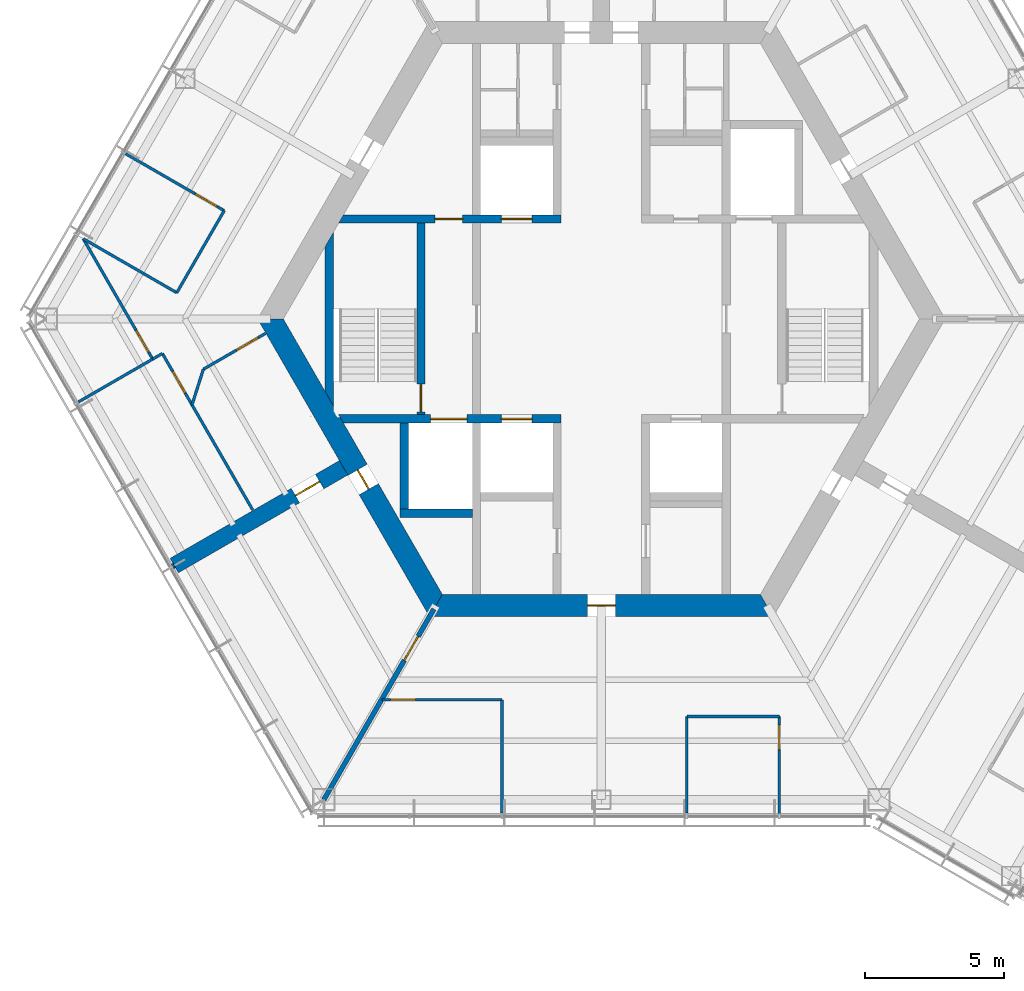
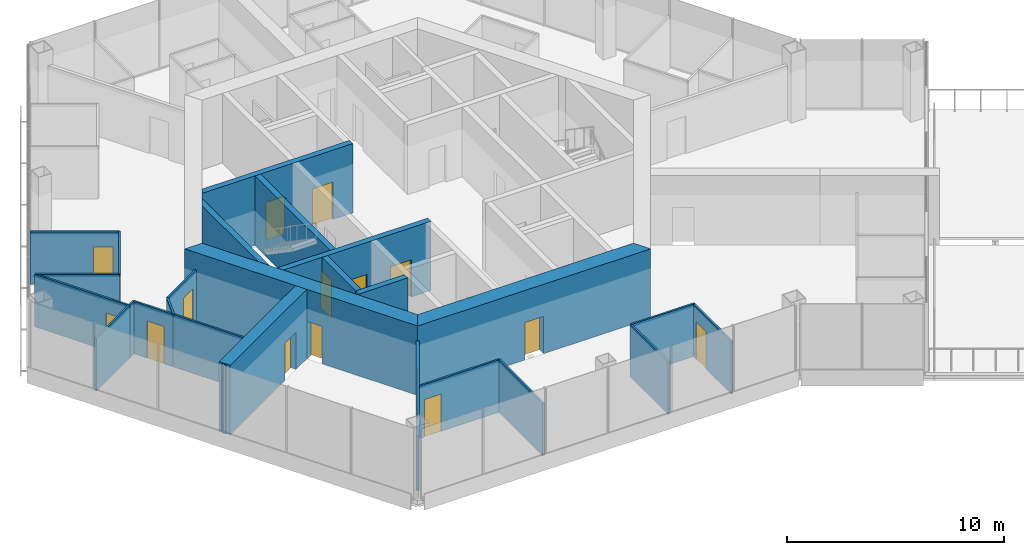
# One storey, part 7 of 13: 26 walls, 15 doors, 15 openings.
"""IFC4 building model written with IfcOpenShell, lengths in metres."""

import ifcopenshell
import ifcopenshell.guid

model = None  # the IFC model being written
_history = None  # IfcOwnerHistory: only IFC2X3 demands one
_inside = {}  # id of a spatial element -> (the spatial element, [elements in it])
_under = {}  # id of a project, library or spatial element -> (it, [spatial elements below it])
_declared = {}  # id of a project -> (the project, [libraries it declares])
_typed = {}  # id of a type object -> (the type object, [elements of that type])
_made_of = {}  # id of a material, layer set ... -> (it, [elements and type objects made of it])


def new_model(schema):
    """Start an empty IFC model of exactly this schema.

    Asked for "IFC4X3", IfcOpenShell would pick the latest addendum, in which some entities
    have other attributes; the version numbers below select the first issue.
    IFC2X3 requires an IfcOwnerHistory on every rooted entity: one is made here for all.
    """
    global model, _history
    if schema == "IFC4X3":
        model = ifcopenshell.file(schema_version=(4, 3, 0, 0))
    else:
        model = ifcopenshell.file(schema=schema)
    _inside.clear()
    _under.clear()
    _declared.clear()
    _typed.clear()
    _made_of.clear()
    _history = None
    if model.schema == "IFC2X3":
        org = make("IfcOrganization", Name="unknown")
        user = make(
            "IfcPersonAndOrganization",
            ThePerson=make("IfcPerson", FamilyName="unknown"),
            TheOrganization=org,
        )
        app = make(
            "IfcApplication",
            ApplicationDeveloper=org,
            Version="unknown",
            ApplicationFullName="unknown",
            ApplicationIdentifier="unknown",
        )
        _history = make(
            "IfcOwnerHistory",
            OwningUser=user,
            OwningApplication=app,
            ChangeAction="ADDED",
            CreationDate=0,
        )
    return model


def make(cls, **values):
    """One entity of the class cls with the attributes given. An attribute that is None is left unset."""
    return model.create_entity(
        cls, **{name: value for name, value in values.items() if value is not None}
    )


def rooted(cls, **values):
    """An entity with a GlobalId (a new one), such as an element, a storey or a relation."""
    return make(cls, GlobalId=ifcopenshell.guid.new(), OwnerHistory=_history, **values)


def si_unit(unit_type, name, prefix=None):
    """IfcSIUnit, for example si_unit("LENGTHUNIT", "METRE", prefix="MILLI")."""
    return make("IfcSIUnit", UnitType=unit_type, Prefix=prefix, Name=name)


def assignment(units):
    """IfcUnitAssignment: the units of a project."""
    return None if units is None else make("IfcUnitAssignment", Units=units)


def point(xyz):
    """IfcCartesianPoint."""
    return None if xyz is None else make("IfcCartesianPoint", Coordinates=xyz)


def direction(xyz):
    """IfcDirection."""
    return None if xyz is None else make("IfcDirection", DirectionRatios=xyz)


def frame(location, z_axis=None, x_axis=None):
    """IfcAxis2Placement3D, a coordinate frame: its origin and axes. An axis left out is left unset."""
    return make(
        "IfcAxis2Placement3D",
        Location=point(location),
        Axis=direction(z_axis),
        RefDirection=direction(x_axis),
    )


def frame_2d(location, x_axis=None):
    """IfcAxis2Placement2D, a coordinate frame in the plane: its origin and x axis."""
    return make(
        "IfcAxis2Placement2D", Location=point(location), RefDirection=direction(x_axis)
    )


def origin():
    """The frame at (0, 0, 0) with its axes left unset."""
    return frame((0.0, 0.0, 0.0))


def place(relative_to, where):
    """IfcLocalPlacement: puts the frame where relative to a parent placement (None: the world)."""
    return make(
        "IfcLocalPlacement", PlacementRelTo=relative_to, RelativePlacement=where
    )


def context(
    kind, dimensions, precision=None, world=None, true_north=None, identifier=None
):
    """IfcGeometricRepresentationContext, for example the 3D "Model" context."""
    return make(
        "IfcGeometricRepresentationContext",
        ContextIdentifier=identifier,
        ContextType=kind,
        CoordinateSpaceDimension=dimensions,
        Precision=precision,
        WorldCoordinateSystem=world,
        TrueNorth=true_north,
    )


def subcontext(parent, identifier, kind, view, scale=None):
    """IfcGeometricRepresentationSubContext, for example "Body" below "Model"."""
    return make(
        "IfcGeometricRepresentationSubContext",
        ContextIdentifier=identifier,
        ContextType=kind,
        ParentContext=parent,
        TargetScale=scale,
        TargetView=view,
    )


def project(units=None, contexts=None):
    """IfcProject with its units and contexts."""
    return rooted(
        "IfcProject",
        Name="project",
        RepresentationContexts=contexts,
        UnitsInContext=assignment(units),
    )


def spatial(cls, under=None, at=None, **own):
    """A site, building, storey or space (cls), placed at a placement, below another one or the project."""
    s = rooted(cls, ObjectPlacement=at, **own)
    if under is not None:
        _under.setdefault(under.id(), (under, []))[1].append(s)
    return s


def polyline(points):
    """IfcPolyline through the points."""
    return make("IfcPolyline", Points=[point(p) for p in points])


def profile(cls, at=None, kind="AREA", **sizes):
    """A parametric profile (cls). Its sizes go by their IFC names, for example OverallWidth=200.0."""
    return make(cls, ProfileType=kind, Position=at, **sizes)


def rectangle(**sizes):
    """IfcRectangleProfileDef."""
    return profile("IfcRectangleProfileDef", **sizes)


def outline(outer, holes=None, kind="AREA"):
    """IfcArbitraryClosedProfileDef: a profile drawn as a closed curve; with holes, ...WithVoids."""
    if holes is None:
        return make("IfcArbitraryClosedProfileDef", ProfileType=kind, OuterCurve=outer)
    return make(
        "IfcArbitraryProfileDefWithVoids",
        ProfileType=kind,
        OuterCurve=outer,
        InnerCurves=holes,
    )


def extrude(swept, where, along, depth):
    """IfcExtrudedAreaSolid: the profile swept, set in the frame where, extruded along a direction by depth."""
    return make(
        "IfcExtrudedAreaSolid",
        SweptArea=swept,
        Position=where,
        ExtrudedDirection=direction(along),
        Depth=depth,
    )


def shape(context_of_items, identifier, shape_type, items):
    """IfcShapeRepresentation: the items that make up one representation, for example the "Body"."""
    return make(
        "IfcShapeRepresentation",
        ContextOfItems=context_of_items,
        RepresentationIdentifier=identifier,
        RepresentationType=shape_type,
        Items=items,
    )


def material(Name=None, Category=None):
    """IfcMaterial."""
    return make("IfcMaterial", Name=Name, Category=Category)


def layer(
    of_material, thickness, ventilated=None, Name=None, Category=None, Priority=None
):
    """IfcMaterialLayer: one layer of a wall or slab, of a material (None: an air gap)."""
    return make(
        "IfcMaterialLayer",
        Material=of_material,
        LayerThickness=thickness,
        IsVentilated=ventilated,
        Name=Name,
        Category=Category,
        Priority=Priority,
    )


def layer_set(layers, Name=None):
    """IfcMaterialLayerSet."""
    return make("IfcMaterialLayerSet", MaterialLayers=layers, LayerSetName=Name)


def made_of(thing, what):
    """Note that an element or type object is made of a material, layer set ...; save() writes the relation."""
    if what is not None:
        _made_of.setdefault(what.id(), (what, []))[1].append(thing)
    return thing


def type_object(cls, material=None, **own):
    """A type object (cls), such as IfcWallType, which elements share."""
    return made_of(rooted(cls, **own), material)


def element(
    cls,
    number,
    at=None,
    inside=None,
    cuts=None,
    type_object=None,
    material=None,
    context=None,
    identifier="Body",
    shape_type=None,
    held_by="IfcProductDefinitionShape",
    body=None,
    shapes=None,
    **own,
):
    """One element of the class cls, such as IfcWall. Its Tag is "e" and its number.

    at: its placement. inside: the storey or other place that contains it. cuts: it is an
    opening in that element (IfcRelVoidsElement). A single representation is given by context,
    identifier, shape_type and body (its items); several are given by shapes. held_by: the class
    of the entity that holds the representations. save() writes the other relations.
    """
    e = rooted(cls, Tag="e%d" % number, ObjectPlacement=at, **own)
    if body is not None:
        shapes = [shape(context, identifier, shape_type, body)]
    if shapes is not None:
        e.Representation = make(held_by, Representations=shapes)
    if inside is not None:
        _inside.setdefault(inside.id(), (inside, []))[1].append(e)
    if cuts is not None:
        rooted(
            "IfcRelVoidsElement", RelatingBuildingElement=cuts, RelatedOpeningElement=e
        )
    if type_object is not None:
        _typed.setdefault(type_object.id(), (type_object, []))[1].append(e)
    return made_of(e, material)


def fill(opening, filler):
    """IfcRelFillsElement: the door or window that sits in an opening."""
    return rooted(
        "IfcRelFillsElement",
        RelatingOpeningElement=opening,
        RelatedBuildingElement=filler,
    )


def aggregate(whole, parts):
    """IfcRelAggregates: a whole, such as a stair, and the parts it consists of."""
    return rooted("IfcRelAggregates", RelatingObject=whole, RelatedObjects=parts)


def save(model, path):
    """Write the relations noted so far, then the file.

    IfcRelAggregates (storeys below a building ...), IfcRelContainedInSpatialStructure (elements
    in a storey), IfcRelDefinesByType, IfcRelAssociatesMaterial and IfcRelDeclares: one each for
    every whole, place, type object, material and project.
    """
    for whole, parts in _under.values():
        aggregate(whole, parts)
    for where, things in _inside.values():
        rooted(
            "IfcRelContainedInSpatialStructure",
            RelatedElements=things,
            RelatingStructure=where,
        )
    for kind, things in _typed.values():
        rooted("IfcRelDefinesByType", RelatedObjects=things, RelatingType=kind)
    for what, things in _made_of.values():
        rooted("IfcRelAssociatesMaterial", RelatedObjects=things, RelatingMaterial=what)
    for by, libraries in _declared.values():
        rooted("IfcRelDeclares", RelatingContext=by, RelatedDefinitions=libraries)
    model.write(path)


model = new_model("IFC4")

# Units and contexts
model_context = context("Model", 3, precision=1e-05, world=origin(), true_north=direction((0.0, 1.0)))
body_context = subcontext(model_context, "Body", "Model", "MODEL_VIEW")
ifc_project = project(units=[si_unit("LENGTHUNIT", "METRE"), si_unit("AREAUNIT", "SQUARE_METRE"), si_unit("VOLUMEUNIT", "CUBIC_METRE"), si_unit("PLANEANGLEUNIT", "RADIAN"), si_unit("MASSUNIT", "GRAM", prefix="KILO")], contexts=[model_context])

# Site, building, storey
site_placement = place(None, origin())
site = spatial("IfcSite", under=ifc_project, at=site_placement, CompositionType="ELEMENT")
building_placement = place(site_placement, origin())
building = spatial("IfcBuilding", under=site, at=building_placement, Name="Kasaneha Research Tower", CompositionType="ELEMENT")
storey_placement = place(building_placement, frame((0.0, 0.0, 267.39990234375)))
storey = spatial("IfcBuildingStorey", under=building, at=storey_placement, Name="L67", CompositionType="ELEMENT", Elevation=267.39990234375)

# Wall, openings, doors
ifc_material_1 = material(Name="Concrete Fc60", Category="concrete")
ifc_layer_1 = layer(ifc_material_1, 0.300048828125)
ifc_layer_set_1 = layer_set([ifc_layer_1], Name="Core internal wall 300 Fc60")
wall_type_1 = type_object("IfcWallType", Name="Core internal wall 300 Fc60", PredefinedType="SHEAR", material=ifc_layer_set_1)
wall_1_placement = place(storey_placement, frame((-9.3818359375, 3.60009765625, 0.0), z_axis=(0.0, 0.0, 1.0), x_axis=(1.0, 0.0, 0.0)))
wall_1 = element("IfcWall", 1, at=wall_1_placement, inside=storey, type_object=wall_type_1, Name="Core wall W1W L67", PredefinedType="SHEAR", context=body_context, shape_type="SweptSolid", body=[
    extrude(outline(polyline([(-0.086669921875, -0.14990234375), (3.3818359375, -0.14990234375), (4.3818359375, -0.14990234375), (5.781982421875, -0.14990234375), (6.882080078125, -0.14990234375), (7.931884765625, -0.14990234375), (7.931884765625, 0.14990234375), (6.882080078125, 0.14990234375), (5.781982421875, 0.14990234375), (4.3818359375, 0.14990234375), (3.3818359375, 0.14990234375), (0.086669921875, 0.14990234375), (-0.086669921875, -0.14990234375)])), origin(), (0.0, 0.0, 1.0), 3.900146484375),
])
opening_1_placement = place(wall_1_placement, frame((3.3818359375, 0.0, 0.0)))
opening_1 = element("IfcOpeningElement", 2, at=opening_1_placement, cuts=wall_1, Name="Opening L67-D12", PredefinedType="OPENING", context=body_context, shape_type="SweptSolid", body=[
    extrude(rectangle(XDim=1.0, YDim=2.10009765625, at=frame_2d((0.5, 1.050048828125))), frame((0.0, 0.16015625, 0.0), z_axis=(0.0, -1.0, 0.0), x_axis=(1.0, 0.0, 0.0)), (0.0, 0.0, 1.0), 0.320068359375),
])
opening_2_placement = place(wall_1_placement, frame((5.781982421875, 0.0, 0.0)))
opening_2 = element("IfcOpeningElement", 3, at=opening_2_placement, cuts=wall_1, Name="Opening LD-LH2-L67", PredefinedType="OPENING", context=body_context, shape_type="SweptSolid", body=[
    extrude(rectangle(XDim=1.10009765625, YDim=2.10009765625, at=frame_2d((0.550048828125, 1.050048828125))), frame((0.0, 0.16015625, 0.0), z_axis=(0.0, -1.0, 0.0), x_axis=(1.0, 0.0, 0.0)), (0.0, 0.0, 1.0), 0.320068359375),
])
ifc_material_2 = material(Name="Steel", Category="steel")
door_type_1 = type_object("IfcDoorType", Name="Lift landing door 1100x2100", OperationType="DOUBLE_DOOR_SLIDING", PredefinedType="DOOR", material=ifc_material_2)
door_1_placement = place(opening_2_placement, origin())
door_1 = element("IfcDoor", 4, at=door_1_placement, inside=storey, type_object=door_type_1, Name="Landing door LH2 LD-LH2-L67", OperationType="DOUBLE_DOOR_SLIDING", OverallHeight=2.10009765625, OverallWidth=1.10009765625, PredefinedType="DOOR", context=body_context, shape_type="SweptSolid", body=[
    extrude(rectangle(XDim=1.10009765625, YDim=2.10009765625, at=frame_2d((0.550048828125, 1.050048828125))), frame((0.0, 0.02490234375, 0.0), z_axis=(0.0, -1.0, 0.0), x_axis=(1.0, 0.0, 0.0)), (0.0, 0.0, 1.0), 0.050048828125),
])
fill(opening_2, door_1)
ifc_material_3 = material(Name="Steel", Category="steel")
door_type_2 = type_object("IfcDoorType", Name="Specified fire door FD60 1000x2100", OperationType="NOTDEFINED", PredefinedType="DOOR", material=ifc_material_3)
door_2_placement = place(opening_1_placement, origin())
door_2 = element("IfcDoor", 5, at=door_2_placement, inside=storey, type_object=door_type_2, Name="Vestibule to lobby door L67-D12", OperationType="SINGLE_SWING_LEFT", OverallHeight=2.10009765625, OverallWidth=1.0, PredefinedType="DOOR", context=body_context, shape_type="SweptSolid", body=[
    extrude(rectangle(XDim=1.0, YDim=2.10009765625, at=frame_2d((0.5, 1.050048828125))), frame((0.0, 0.02490234375, 0.0), z_axis=(0.0, -1.0, 0.0), x_axis=(1.0, 0.0, 0.0)), (0.0, 0.0, 1.0), 0.050048828125),
])
fill(opening_1, door_2)

wall_2_placement = place(storey_placement, frame((-9.3818359375, -3.60009765625, 0.0), z_axis=(0.0, 0.0, 1.0), x_axis=(1.0, 0.0, 0.0)))
wall_2 = element("IfcWall", 6, at=wall_2_placement, inside=storey, type_object=wall_type_1, Name="Core wall W2W L67", PredefinedType="SHEAR", context=body_context, shape_type="SweptSolid", body=[
    extrude(outline(polyline([(0.086669921875, -0.14990234375), (3.23193359375, -0.14990234375), (4.531982421875, -0.14990234375), (5.781982421875, -0.14990234375), (6.882080078125, -0.14990234375), (7.931884765625, -0.14990234375), (7.931884765625, 0.14990234375), (6.882080078125, 0.14990234375), (5.781982421875, 0.14990234375), (4.531982421875, 0.14990234375), (3.23193359375, 0.14990234375), (-0.086669921875, 0.14990234375), (0.086669921875, -0.14990234375)])), origin(), (0.0, 0.0, 1.0), 3.900146484375),
])
opening_3_placement = place(wall_2_placement, frame((5.781982421875, 0.0, 0.0)))
opening_3 = element("IfcOpeningElement", 7, at=opening_3_placement, cuts=wall_2, Name="Opening LD-LH1-L67", PredefinedType="OPENING", context=body_context, shape_type="SweptSolid", body=[
    extrude(rectangle(XDim=1.10009765625, YDim=2.10009765625, at=frame_2d((0.550048828125, 1.050048828125))), frame((0.0, 0.16015625, 0.0), z_axis=(0.0, -1.0, 0.0), x_axis=(1.0, 0.0, 0.0)), (0.0, 0.0, 1.0), 0.320068359375),
])
opening_4_placement = place(wall_2_placement, frame((3.23193359375, 0.0, 0.0)))
opening_4 = element("IfcOpeningElement", 8, at=opening_4_placement, cuts=wall_2, Name="Opening LD-FL2-L67", PredefinedType="OPENING", context=body_context, shape_type="SweptSolid", body=[
    extrude(rectangle(XDim=1.300048828125, YDim=2.10009765625, at=frame_2d((0.64990234375, 1.050048828125))), frame((0.0, 0.16015625, 0.0), z_axis=(0.0, -1.0, 0.0), x_axis=(1.0, 0.0, 0.0)), (0.0, 0.0, 1.0), 0.320068359375),
])
door_3_placement = place(opening_3_placement, origin())
door_3 = element("IfcDoor", 9, at=door_3_placement, inside=storey, type_object=door_type_1, Name="Landing door LH1 LD-LH1-L67", OperationType="DOUBLE_DOOR_SLIDING", OverallHeight=2.10009765625, OverallWidth=1.10009765625, PredefinedType="DOOR", context=body_context, shape_type="SweptSolid", body=[
    extrude(rectangle(XDim=1.10009765625, YDim=2.10009765625, at=frame_2d((0.550048828125, 1.050048828125))), frame((0.0, 0.02490234375, 0.0), z_axis=(0.0, -1.0, 0.0), x_axis=(1.0, 0.0, 0.0)), (0.0, 0.0, 1.0), 0.050048828125),
])
fill(opening_3, door_3)
ifc_material_4 = material(Name="Steel", Category="steel")
door_type_3 = type_object("IfcDoorType", Name="Lift landing door 1300x2100", OperationType="DOUBLE_DOOR_SLIDING", PredefinedType="DOOR", material=ifc_material_4)
door_4_placement = place(opening_4_placement, origin())
door_4 = element("IfcDoor", 10, at=door_4_placement, inside=storey, type_object=door_type_3, Name="Landing door FL2 LD-FL2-L67", OperationType="DOUBLE_DOOR_SLIDING", OverallHeight=2.10009765625, OverallWidth=1.300048828125, PredefinedType="DOOR", context=body_context, shape_type="SweptSolid", body=[
    extrude(rectangle(XDim=1.300048828125, YDim=2.10009765625, at=frame_2d((0.64990234375, 1.050048828125))), frame((0.0, 0.02490234375, 0.0), z_axis=(0.0, -1.0, 0.0), x_axis=(1.0, 0.0, 0.0)), (0.0, 0.0, 1.0), 0.050048828125),
])
fill(opening_4, door_4)

# Wall, opening, door
wall_3_placement = place(storey_placement, frame((-6.5, -3.449951171875, 0.0), z_axis=(0.0, 0.0, 1.0), x_axis=(0.0, 1.0, 0.0)))
wall_3 = element("IfcWall", 11, at=wall_3_placement, inside=storey, type_object=wall_type_1, Name="Core wall ANW L67", PredefinedType="SHEAR", context=body_context, shape_type="SweptSolid", body=[
    extrude(rectangle(XDim=6.89990234375, YDim=0.300048828125, at=frame_2d((3.449951171875, 0.0))), origin(), (0.0, 0.0, 1.0), 3.900146484375),
])
opening_5_placement = place(wall_3_placement, frame((0.10009765625, 0.0, 0.0)))
opening_5 = element("IfcOpeningElement", 12, at=opening_5_placement, cuts=wall_3, Name="Opening L67-D11", PredefinedType="OPENING", context=body_context, shape_type="SweptSolid", body=[
    extrude(rectangle(XDim=1.0, YDim=2.10009765625, at=frame_2d((0.5, 1.050048828125))), frame((0.0, 0.16015625, 0.0), z_axis=(0.0, -1.0, 0.0), x_axis=(1.0, 0.0, 0.0)), (0.0, 0.0, 1.0), 0.320068359375),
])
door_5_placement = place(opening_5_placement, origin())
door_5 = element("IfcDoor", 13, at=door_5_placement, inside=storey, type_object=door_type_2, Name="Stair 2 door L67-D11", OperationType="SINGLE_SWING_LEFT", OverallHeight=2.10009765625, OverallWidth=1.0, PredefinedType="DOOR", context=body_context, shape_type="SweptSolid", body=[
    extrude(rectangle(XDim=1.0, YDim=2.10009765625, at=frame_2d((0.5, 1.050048828125))), frame((0.0, 0.02490234375, 0.0), z_axis=(0.0, -1.0, 0.0), x_axis=(1.0, 0.0, 0.0)), (0.0, 0.0, 1.0), 0.050048828125),
])
fill(opening_5, door_5)

# Walls
wall_4_placement = place(storey_placement, frame((-7.25, -7.0, 0.0), z_axis=(0.0, 0.0, 1.0), x_axis=(1.0, 0.0, 0.0)))
element("IfcWall", 14, at=wall_4_placement, inside=storey, type_object=wall_type_1, Name="Core wall F2S L67", PredefinedType="SHEAR", context=body_context, shape_type="SweptSolid", body=[
    extrude(rectangle(XDim=2.60009765625, YDim=0.300048828125, at=frame_2d((1.300048828125, 0.0))), origin(), (0.0, 0.0, 1.0), 3.900146484375),
])
wall_5_placement = place(storey_placement, frame((-7.10009765625, -3.75, 0.0), z_axis=(0.0, 0.0, 1.0), x_axis=(0.0, -1.0, 0.0)))
element("IfcWall", 15, at=wall_5_placement, inside=storey, type_object=wall_type_1, Name="Core wall F2W L67", PredefinedType="SHEAR", context=body_context, shape_type="SweptSolid", body=[
    extrude(rectangle(XDim=3.10009765625, YDim=0.300048828125, at=frame_2d((1.550048828125, 0.0))), origin(), (0.0, 0.0, 1.0), 3.900146484375),
])
wall_6_placement = place(storey_placement, frame((-9.807861328125, -2.8623046875, 0.0), z_axis=(0.0, 0.0, 1.0), x_axis=(0.0, 1.0, 0.0)))
element("IfcWall", 16, at=wall_6_placement, inside=storey, type_object=wall_type_1, Name="Core wall STW L67", PredefinedType="SHEAR", context=body_context, shape_type="SweptSolid", body=[
    extrude(outline(polyline([(-0.259765625, -0.14990234375), (5.984375, -0.14990234375), (5.46484375, 0.14990234375), (0.259765625, 0.14990234375), (-0.259765625, -0.14990234375)])), origin(), (0.0, 0.0, 1.0), 3.900146484375),
])

# Wall, opening, door
ifc_material_5 = material(Name="Concrete Fc60", Category="concrete")
ifc_layer_2 = layer(ifc_material_5, 0.800048828125)
ifc_layer_set_2 = layer_set([ifc_layer_2], Name="Core wall 800 Fc60")
wall_type_2 = type_object("IfcWallType", Name="Core wall 800 Fc60", PredefinedType="SHEAR", material=ifc_layer_set_2)
wall_7_placement = place(storey_placement, frame((-11.92236328125, 0.0, 0.0), z_axis=(0.0, 0.0, 1.0), x_axis=(0.500004296715, -0.866022923061, 0.0)))
wall_7 = element("IfcWall", 17, at=wall_7_placement, inside=storey, type_object=wall_type_2, Name="Core wall 210 L67", PredefinedType="SHEAR", context=body_context, shape_type="SweptSolid", body=[
    extrude(outline(polyline([(-0.23095703125, -0.39990234375), (6.28125, -0.39990234375), (7.081298828125, -0.39990234375), (12.1533203125, -0.39990234375), (11.69140625, 0.39990234375), (7.081298828125, 0.39990234375), (6.28125, 0.39990234375), (0.23095703125, 0.39990234375), (-0.23095703125, -0.39990234375)])), origin(), (0.0, 0.0, 1.0), 3.900146484375),
])
opening_6_placement = place(wall_7_placement, frame((6.28125, 0.0, 0.0)))
opening_6 = element("IfcOpeningElement", 18, at=opening_6_placement, cuts=wall_7, Name="Opening L67-D06", PredefinedType="OPENING", context=body_context, shape_type="SweptSolid", body=[
    extrude(rectangle(XDim=0.800048828125, YDim=2.10009765625, at=frame_2d((0.39990234375, 1.050048828125))), frame((0.0, 0.41015625, 0.0), z_axis=(0.0, -1.0, 0.0), x_axis=(1.0, 0.0, 0.0)), (0.0, 0.0, 1.0), 0.820068359375),
])
ifc_material_6 = material(Name="Steel", Category="steel")
door_type_4 = type_object("IfcDoorType", Name="Riser access door FD60 800x2100", OperationType="NOTDEFINED", PredefinedType="DOOR", material=ifc_material_6)
door_6_placement = place(opening_6_placement, origin())
door_6 = element("IfcDoor", 19, at=door_6_placement, inside=storey, type_object=door_type_4, Name="Duct riser door L67-D06", OperationType="SINGLE_SWING_RIGHT", OverallHeight=2.10009765625, OverallWidth=0.800048828125, PredefinedType="DOOR", context=body_context, shape_type="SweptSolid", body=[
    extrude(rectangle(XDim=0.800048828125, YDim=2.10009765625, at=frame_2d((0.39990234375, 1.050048828125))), frame((0.0, 0.02490234375, 0.0), z_axis=(0.0, -1.0, 0.0), x_axis=(1.0, 0.0, 0.0)), (0.0, 0.0, 1.0), 0.050048828125),
])
fill(opening_6, door_6)

wall_8_placement = place(storey_placement, frame((-5.961181640625, -10.324951171875, 0.0), z_axis=(0.0, 0.0, 1.0), x_axis=(1.0, 0.0, 0.0)))
wall_8 = element("IfcWall", 20, at=wall_8_placement, inside=storey, type_object=wall_type_2, Name="Core wall 270 L67", PredefinedType="SHEAR", context=body_context, shape_type="SweptSolid", body=[
    extrude(outline(polyline([(-0.23095703125, -0.39990234375), (5.461181640625, -0.39990234375), (6.461181640625, -0.39990234375), (12.1533203125, -0.39990234375), (11.69140625, 0.39990234375), (6.461181640625, 0.39990234375), (5.461181640625, 0.39990234375), (0.23095703125, 0.39990234375), (-0.23095703125, -0.39990234375)])), origin(), (0.0, 0.0, 1.0), 3.900146484375),
])
opening_7_placement = place(wall_8_placement, frame((5.461181640625, 0.0, 0.0)))
opening_7 = element("IfcOpeningElement", 21, at=opening_7_placement, cuts=wall_8, Name="Opening L67-D03", PredefinedType="OPENING", context=body_context, shape_type="SweptSolid", body=[
    extrude(rectangle(XDim=1.0, YDim=2.10009765625, at=frame_2d((0.5, 1.050048828125))), frame((0.0, 0.41015625, 0.0), z_axis=(0.0, -1.0, 0.0), x_axis=(1.0, 0.0, 0.0)), (0.0, 0.0, 1.0), 0.820068359375),
])
ifc_material_7 = material(Name="Steel", Category="steel")
door_type_5 = type_object("IfcDoorType", Name="Fire door FD20 1000x2100", OperationType="NOTDEFINED", PredefinedType="DOOR", material=ifc_material_7)
door_7_placement = place(opening_7_placement, origin())
door_7 = element("IfcDoor", 22, at=door_7_placement, inside=storey, type_object=door_type_5, Name="Core door south L67-D03", OperationType="SINGLE_SWING_LEFT", OverallHeight=2.10009765625, OverallWidth=1.0, PredefinedType="DOOR", context=body_context, shape_type="SweptSolid", body=[
    extrude(rectangle(XDim=1.0, YDim=2.10009765625, at=frame_2d((0.5, 1.050048828125))), frame((0.0, 0.02490234375, 0.0), z_axis=(0.0, -1.0, 0.0), x_axis=(1.0, 0.0, 0.0)), (0.0, 0.0, 1.0), 0.050048828125),
])
fill(opening_7, door_7)

ifc_material_8 = material(Name="Gypsum board on steel studs, one layer each side", Category="steel")
ifc_layer_3 = layer(ifc_material_8, 0.10009765625)
ifc_layer_set_3 = layer_set([ifc_layer_3], Name="Office partition 100")
wall_type_3 = type_object("IfcWallType", Name="Office partition 100", PredefinedType="PARTITIONING", material=ifc_layer_set_3)
wall_9_placement = place(storey_placement, frame((-17.15380859375, 5.9599609375, 0.0), z_axis=(0.0, 0.0, 1.0), x_axis=(0.866014662111, -0.500018604663, 0.0)))
wall_9 = element("IfcWall", 23, at=wall_9_placement, inside=storey, type_object=wall_type_3, Name="Office partition FBN01 L67", PredefinedType="PARTITIONING", context=body_context, shape_type="SweptSolid", body=[
    extrude(rectangle(XDim=4.114990234375, YDim=0.10009765625, at=frame_2d((2.0576171875, 0.0))), origin(), (0.0, 0.0, 1.0), 2.9501953125),
])
opening_8_placement = place(wall_9_placement, frame((2.9150390625, 0.0, 0.0)))
opening_8 = element("IfcOpeningElement", 24, at=opening_8_placement, cuts=wall_9, Name="Opening L67-D36", PredefinedType="OPENING", context=body_context, shape_type="SweptSolid", body=[
    extrude(rectangle(XDim=0.89990234375, YDim=2.10009765625, at=frame_2d((0.449951171875, 1.050048828125))), frame((0.0, 0.06005859375, 0.0), z_axis=(0.0, -1.0, 0.0), x_axis=(1.0, 0.0, 0.0)), (0.0, 0.0, 1.0), 0.1201171875),
])
ifc_material_9 = material(Name="Timber veneer", Category="wood")
door_type_6 = type_object("IfcDoorType", Name="Office door 900x2100", OperationType="SINGLE_SWING_LEFT", PredefinedType="DOOR", material=ifc_material_9)
door_8_placement = place(opening_8_placement, origin())
door_8 = element("IfcDoor", 25, at=door_8_placement, inside=storey, type_object=door_type_6, Name="Meeting room door L67-D36", OperationType="SINGLE_SWING_RIGHT", OverallHeight=2.10009765625, OverallWidth=0.89990234375, PredefinedType="DOOR", context=body_context, shape_type="SweptSolid", body=[
    extrude(rectangle(XDim=0.89990234375, YDim=2.10009765625, at=frame_2d((0.449951171875, 1.050048828125))), frame((0.0, 0.02490234375, 0.0), z_axis=(0.0, -1.0, 0.0), x_axis=(1.0, 0.0, 0.0)), (0.0, 0.0, 1.0), 0.050048828125),
])
fill(opening_8, door_8)

# Walls
wall_10_placement = place(storey_placement, frame((-15.2978515625, 0.944580078125, 0.0), z_axis=(0.0, 0.0, 1.0), x_axis=(-0.866041390868, 0.499972308537, 0.0)))
element("IfcWall", 26, at=wall_10_placement, inside=storey, type_object=wall_type_3, Name="Office partition FBN02 L67", PredefinedType="PARTITIONING", context=body_context, shape_type="SweptSolid", body=[
    extrude(rectangle(XDim=3.890869140625, YDim=0.10009765625, at=frame_2d((1.9453125, 0.0))), origin(), (0.0, 0.0, 1.0), 2.9501953125),
])
wall_11_placement = place(storey_placement, frame((-13.590087890625, 3.90234375, 0.0), z_axis=(0.0, 0.0, 1.0), x_axis=(-0.500021524473, -0.866012976267, 0.0)))
element("IfcWall", 27, at=wall_11_placement, inside=storey, type_object=wall_type_3, Name="Office partition FBN03 L67", PredefinedType="PARTITIONING", context=body_context, shape_type="SweptSolid", body=[
    extrude(rectangle(XDim=3.415283203125, YDim=0.10009765625, at=frame_2d((1.70751953125, 0.0))), origin(), (0.0, 0.0, 1.0), 2.9501953125),
])
wall_12_placement = place(storey_placement, frame((-14.7548828125, -3.0849609375, 0.0), z_axis=(0.0, 0.0, 1.0), x_axis=(0.500006757851, -0.866021502102, 0.0)))
element("IfcWall", 28, at=wall_12_placement, inside=storey, type_object=wall_type_3, Name="Office partition FBN04 L67", PredefinedType="PARTITIONING", context=body_context, shape_type="SweptSolid", body=[
    extrude(rectangle(XDim=4.3857421875, YDim=0.10009765625, at=frame_2d((2.19287109375, 0.0))), origin(), (0.0, 0.0, 1.0), 2.9501953125),
])
wall_13_placement = place(storey_placement, frame((-18.83984375, -2.989501953125, 0.0), z_axis=(0.0, 0.0, 1.0), x_axis=(0.86601613395, 0.50001605548, 0.0)))
element("IfcWall", 29, at=wall_13_placement, inside=storey, type_object=wall_type_3, Name="Office partition FBN05 L67", PredefinedType="PARTITIONING", context=body_context, shape_type="SweptSolid", body=[
    extrude(rectangle(XDim=3.09521484375, YDim=0.10009765625, at=frame_2d((1.547607421875, 0.0))), origin(), (0.0, 0.0, 1.0), 2.9501953125),
])
wall_14_placement = place(storey_placement, frame((-16.167724609375, -1.44677734375, 0.0), z_axis=(0.0, 0.0, 1.0), x_axis=(0.865894114129, 0.500227331437, 0.0)))
element("IfcWall", 30, at=wall_14_placement, inside=storey, type_object=wall_type_3, Name="Office partition FBN06 L67", PredefinedType="PARTITIONING", context=body_context, shape_type="SweptSolid", body=[
    extrude(rectangle(XDim=0.404541015625, YDim=0.10009765625, at=frame_2d((0.2021484375, 0.0))), origin(), (0.0, 0.0, 1.0), 2.9501953125),
])

# Wall, opening, door
wall_15_placement = place(storey_placement, frame((-15.8173828125, -1.244384765625, 0.0), z_axis=(0.0, 0.0, 1.0), x_axis=(0.499986256893, -0.866033338225, 0.0)))
wall_15 = element("IfcWall", 31, at=wall_15_placement, inside=storey, type_object=wall_type_3, Name="Office partition FBN07 L67", PredefinedType="PARTITIONING", context=body_context, shape_type="SweptSolid", body=[
    extrude(rectangle(XDim=2.13623046875, YDim=0.10009765625, at=frame_2d((1.068115234375, 0.0))), origin(), (0.0, 0.0, 1.0), 2.9501953125),
])
opening_9_placement = place(wall_15_placement, frame((0.75, 0.0, 0.0)))
opening_9 = element("IfcOpeningElement", 32, at=opening_9_placement, cuts=wall_15, Name="Opening L67-D37", PredefinedType="OPENING", context=body_context, shape_type="SweptSolid", body=[
    extrude(rectangle(XDim=0.89990234375, YDim=2.10009765625, at=frame_2d((0.449951171875, 1.050048828125))), frame((0.0, 0.06005859375, 0.0), z_axis=(0.0, -1.0, 0.0), x_axis=(1.0, 0.0, 0.0)), (0.0, 0.0, 1.0), 0.1201171875),
])
door_9_placement = place(opening_9_placement, origin())
door_9 = element("IfcDoor", 33, at=door_9_placement, inside=storey, type_object=door_type_6, Name="Meeting room door L67-D37", OperationType="SINGLE_SWING_RIGHT", OverallHeight=2.10009765625, OverallWidth=0.89990234375, PredefinedType="DOOR", context=body_context, shape_type="SweptSolid", body=[
    extrude(rectangle(XDim=0.89990234375, YDim=2.10009765625, at=frame_2d((0.449951171875, 1.050048828125))), frame((0.0, 0.02490234375, 0.0), z_axis=(0.0, -1.0, 0.0), x_axis=(1.0, 0.0, 0.0)), (0.0, 0.0, 1.0), 0.050048828125),
])
fill(opening_9, door_9)

# Wall
wall_16_placement = place(storey_placement, frame((-14.7490234375, -3.094482421875, 0.0), z_axis=(0.0, 0.0, 1.0), x_axis=(0.30351815006, 0.952825656972, 0.0)))
element("IfcWall", 34, at=wall_16_placement, inside=storey, type_object=wall_type_3, Name="Office partition FBN08 L67", PredefinedType="PARTITIONING", context=body_context, shape_type="SweptSolid", body=[
    extrude(rectangle(XDim=1.345703125, YDim=0.10009765625, at=frame_2d((0.6728515625, 0.0))), origin(), (0.0, 0.0, 1.0), 2.9501953125),
])

# Wall, opening, door
wall_17_placement = place(storey_placement, frame((-14.340576171875, -1.812255859375, 0.0), z_axis=(0.0, 0.0, 1.0), x_axis=(0.86617456, 0.499741564819, 0.0)))
wall_17 = element("IfcWall", 35, at=wall_17_placement, inside=storey, type_object=wall_type_3, Name="Office partition FBN09 L67", PredefinedType="PARTITIONING", context=body_context, shape_type="SweptSolid", body=[
    extrude(rectangle(XDim=2.580322265625, YDim=0.10009765625, at=frame_2d((1.2900390625, 0.0))), origin(), (0.0, 0.0, 1.0), 2.9501953125),
])
opening_10_placement = place(wall_17_placement, frame((1.380615234375, 0.0, 0.0)))
opening_10 = element("IfcOpeningElement", 36, at=opening_10_placement, cuts=wall_17, Name="Opening L67-D38", PredefinedType="OPENING", context=body_context, shape_type="SweptSolid", body=[
    extrude(rectangle(XDim=0.89990234375, YDim=2.10009765625, at=frame_2d((0.449951171875, 1.050048828125))), frame((0.0, 0.06005859375, 0.0), z_axis=(0.0, -1.0, 0.0), x_axis=(1.0, 0.0, 0.0)), (0.0, 0.0, 1.0), 0.1201171875),
])
door_10_placement = place(opening_10_placement, origin())
door_10 = element("IfcDoor", 37, at=door_10_placement, inside=storey, type_object=door_type_6, Name="Phone room door L67-D38", OperationType="SINGLE_SWING_RIGHT", OverallHeight=2.10009765625, OverallWidth=0.89990234375, PredefinedType="DOOR", context=body_context, shape_type="SweptSolid", body=[
    extrude(rectangle(XDim=0.89990234375, YDim=2.10009765625, at=frame_2d((0.449951171875, 1.050048828125))), frame((0.0, 0.02490234375, 0.0), z_axis=(0.0, -1.0, 0.0), x_axis=(1.0, 0.0, 0.0)), (0.0, 0.0, 1.0), 0.050048828125),
])
fill(opening_10, door_10)

wall_18_placement = place(storey_placement, frame((-18.66748046875, 2.889892578125, 0.0), z_axis=(0.0, 0.0, 1.0), x_axis=(0.499397294175, -0.866373096634, 0.0)))
wall_18 = element("IfcWall", 38, at=wall_18_placement, inside=storey, type_object=wall_type_3, Name="Office partition FBN13 L67", PredefinedType="PARTITIONING", context=body_context, shape_type="SweptSolid", body=[
    extrude(rectangle(XDim=5.005615234375, YDim=0.10009765625, at=frame_2d((2.5029296875, 0.0))), origin(), (0.0, 0.0, 1.0), 2.9501953125),
])
opening_11_placement = place(wall_18_placement, frame((3.8056640625, 0.0, 0.0)))
opening_11 = element("IfcOpeningElement", 39, at=opening_11_placement, cuts=wall_18, Name="Opening L67-D40", PredefinedType="OPENING", context=body_context, shape_type="SweptSolid", body=[
    extrude(rectangle(XDim=0.89990234375, YDim=2.10009765625, at=frame_2d((0.449951171875, 1.050048828125))), frame((0.0, 0.06005859375, 0.0), z_axis=(0.0, -1.0, 0.0), x_axis=(1.0, 0.0, 0.0)), (0.0, 0.0, 1.0), 0.1201171875),
])
door_11_placement = place(opening_11_placement, origin())
door_11 = element("IfcDoor", 40, at=door_11_placement, inside=storey, type_object=door_type_6, Name="Project room door L67-D40", OperationType="SINGLE_SWING_RIGHT", OverallHeight=2.10009765625, OverallWidth=0.89990234375, PredefinedType="DOOR", context=body_context, shape_type="SweptSolid", body=[
    extrude(rectangle(XDim=0.89990234375, YDim=2.10009765625, at=frame_2d((0.449951171875, 1.050048828125))), frame((0.0, 0.02490234375, 0.0), z_axis=(0.0, -1.0, 0.0), x_axis=(1.0, 0.0, 0.0)), (0.0, 0.0, 1.0), 0.050048828125),
])
fill(opening_11, door_11)

wall_19_placement = place(storey_placement, frame((-7.89794921875, -13.719482421875, 0.0), z_axis=(0.0, 0.0, 1.0), x_axis=(0.999999974372, -0.000226398002, 0.0)))
wall_19 = element("IfcWall", 41, at=wall_19_placement, inside=storey, type_object=wall_type_3, Name="Office partition FCS01 L67", PredefinedType="PARTITIONING", context=body_context, shape_type="SweptSolid", body=[
    extrude(rectangle(XDim=4.3134765625, YDim=0.10009765625, at=frame_2d((2.15673828125, 0.0))), origin(), (0.0, 0.0, 1.0), 2.9501953125),
])
opening_12_placement = place(wall_19_placement, frame((0.300048828125, 0.0, 0.0)))
opening_12 = element("IfcOpeningElement", 42, at=opening_12_placement, cuts=wall_19, Name="Opening L67-D41", PredefinedType="OPENING", context=body_context, shape_type="SweptSolid", body=[
    extrude(rectangle(XDim=0.89990234375, YDim=2.10009765625, at=frame_2d((0.449951171875, 1.050048828125))), frame((0.0, 0.06005859375, 0.0), z_axis=(0.0, -1.0, 0.0), x_axis=(1.0, 0.0, 0.0)), (0.0, 0.0, 1.0), 0.1201171875),
])
door_12_placement = place(opening_12_placement, origin())
door_12 = element("IfcDoor", 43, at=door_12_placement, inside=storey, type_object=door_type_6, Name="Reception room door L67-D41", OperationType="SINGLE_SWING_LEFT", OverallHeight=2.10009765625, OverallWidth=0.89990234375, PredefinedType="DOOR", context=body_context, shape_type="SweptSolid", body=[
    extrude(rectangle(XDim=0.89990234375, YDim=2.10009765625, at=frame_2d((0.449951171875, 1.050048828125))), frame((0.0, 0.02490234375, 0.0), z_axis=(0.0, -1.0, 0.0), x_axis=(1.0, 0.0, 0.0)), (0.0, 0.0, 1.0), 0.050048828125),
])
fill(opening_12, door_12)

# Walls
wall_20_placement = place(storey_placement, frame((-3.58447265625, -13.720458984375, 0.0), z_axis=(0.0, 0.0, 1.0), x_axis=(0.0, -1.0, 0.0)))
element("IfcWall", 44, at=wall_20_placement, inside=storey, type_object=wall_type_3, Name="Office partition FCS02 L67", PredefinedType="PARTITIONING", context=body_context, shape_type="SweptSolid", body=[
    extrude(rectangle(XDim=4.080078125, YDim=0.10009765625, at=frame_2d((2.0400390625, 0.0))), origin(), (0.0, 0.0, 1.0), 2.9501953125),
])
wall_21_placement = place(storey_placement, frame((3.077392578125, -17.800537109375, 0.0), z_axis=(0.0, 0.0, 1.0), x_axis=(0.0, 1.0, 0.0)))
element("IfcWall", 45, at=wall_21_placement, inside=storey, type_object=wall_type_3, Name="Office partition FCS03 L67", PredefinedType="PARTITIONING", context=body_context, shape_type="SweptSolid", body=[
    extrude(rectangle(XDim=3.47998046875, YDim=0.10009765625, at=frame_2d((1.739990234375, 0.0))), origin(), (0.0, 0.0, 1.0), 2.9501953125),
])
wall_22_placement = place(storey_placement, frame((3.077392578125, -14.320556640625, 0.0), z_axis=(0.0, 0.0, 1.0), x_axis=(1.0, 0.0, 0.0)))
element("IfcWall", 46, at=wall_22_placement, inside=storey, type_object=wall_type_3, Name="Office partition FCS04 L67", PredefinedType="PARTITIONING", context=body_context, shape_type="SweptSolid", body=[
    extrude(rectangle(XDim=3.330810546875, YDim=0.10009765625, at=frame_2d((1.66552734375, 0.0))), origin(), (0.0, 0.0, 1.0), 2.9501953125),
])

# Wall, opening, door
wall_23_placement = place(storey_placement, frame((6.408203125, -14.320556640625, 0.0), z_axis=(0.0, 0.0, 1.0), x_axis=(0.0, -1.0, 0.0)))
wall_23 = element("IfcWall", 47, at=wall_23_placement, inside=storey, type_object=wall_type_3, Name="Office partition FCS05 L67", PredefinedType="PARTITIONING", context=body_context, shape_type="SweptSolid", body=[
    extrude(rectangle(XDim=3.514892578125, YDim=0.10009765625, at=frame_2d((1.75732421875, 0.0))), origin(), (0.0, 0.0, 1.0), 2.9501953125),
])
opening_13_placement = place(wall_23_placement, frame((0.300048828125, 0.0, 0.0)))
opening_13 = element("IfcOpeningElement", 48, at=opening_13_placement, cuts=wall_23, Name="Opening L67-D42", PredefinedType="OPENING", context=body_context, shape_type="SweptSolid", body=[
    extrude(rectangle(XDim=0.89990234375, YDim=2.10009765625, at=frame_2d((0.449951171875, 1.050048828125))), frame((0.0, 0.06005859375, 0.0), z_axis=(0.0, -1.0, 0.0), x_axis=(1.0, 0.0, 0.0)), (0.0, 0.0, 1.0), 0.1201171875),
])
door_13_placement = place(opening_13_placement, origin())
door_13 = element("IfcDoor", 49, at=door_13_placement, inside=storey, type_object=door_type_6, Name="Library door L67-D42", OperationType="SINGLE_SWING_LEFT", OverallHeight=2.10009765625, OverallWidth=0.89990234375, PredefinedType="DOOR", context=body_context, shape_type="SweptSolid", body=[
    extrude(rectangle(XDim=0.89990234375, YDim=2.10009765625, at=frame_2d((0.449951171875, 1.050048828125))), frame((0.0, 0.02490234375, 0.0), z_axis=(0.0, -1.0, 0.0), x_axis=(1.0, 0.0, 0.0)), (0.0, 0.0, 1.0), 0.050048828125),
])
fill(opening_13, door_13)

ifc_material_10 = material(Name="Concrete Fc60", Category="concrete")
ifc_layer_4 = layer(ifc_material_10, 0.60009765625)
ifc_layer_set_4 = layer_set([ifc_layer_4], Name="Spine wall 600 Fc60")
wall_type_4 = type_object("IfcWallType", Name="Spine wall 600 Fc60", PredefinedType="SHEAR", material=ifc_layer_set_4)
wall_24_placement = place(storey_placement, frame((-9.2880859375, -5.362548828125, 0.0), z_axis=(0.0, 0.0, 1.0), x_axis=(-0.866027473358, -0.499996415376, 0.0)))
wall_24 = element("IfcWall", 50, at=wall_24_placement, inside=storey, type_object=wall_type_4, Name="Spine wall B L67", PredefinedType="SHEAR", context=body_context, shape_type="SweptSolid", body=[
    extrude(rectangle(XDim=7.04541015625, YDim=0.60009765625, at=frame_2d((3.522705078125, 0.0))), origin(), (0.0, 0.0, 1.0), 3.900146484375),
])
opening_14_placement = place(wall_24_placement, frame((1.0, 0.0, 0.0)))
opening_14 = element("IfcOpeningElement", 51, at=opening_14_placement, cuts=wall_24, Name="Opening L67-D19", PredefinedType="OPENING", context=body_context, shape_type="SweptSolid", body=[
    extrude(rectangle(XDim=1.0, YDim=2.10009765625, at=frame_2d((0.5, 1.050048828125))), frame((0.0, 0.31005859375, 0.0), z_axis=(0.0, -1.0, 0.0), x_axis=(1.0, 0.0, 0.0)), (0.0, 0.0, 1.0), 0.6201171875),
])
door_14_placement = place(opening_14_placement, origin())
door_14 = element("IfcDoor", 52, at=door_14_placement, inside=storey, type_object=door_type_2, Name="Spine doorway B L67-D19", OperationType="SINGLE_SWING_LEFT", OverallHeight=2.10009765625, OverallWidth=1.0, PredefinedType="DOOR", context=body_context, shape_type="SweptSolid", body=[
    extrude(rectangle(XDim=1.0, YDim=2.10009765625, at=frame_2d((0.5, 1.050048828125))), frame((0.0, 0.02490234375, 0.0), z_axis=(0.0, -1.0, 0.0), x_axis=(1.0, 0.0, 0.0)), (0.0, 0.0, 1.0), 0.050048828125),
])
fill(opening_14, door_14)

ifc_material_11 = material(Name="Gypsum board on steel studs, two layers each side", Category="steel")
ifc_layer_5 = layer(ifc_material_11, 0.175048828125)
ifc_layer_set_5 = layer_set([ifc_layer_5], Name="Tenancy fire partition 175")
wall_type_5 = type_object("IfcWallType", Name="Tenancy fire partition 175", PredefinedType="PARTITIONING", material=ifc_layer_set_5)
wall_25_placement = place(storey_placement, frame((-6.034912109375, -10.45263671875, 0.0), z_axis=(0.0, 0.0, 1.0), x_axis=(-0.499989830942, -0.866031274813, 0.0)))
wall_25 = element("IfcWall", 53, at=wall_25_placement, inside=storey, type_object=wall_type_5, Name="Tenancy fire partition T240 L67", PredefinedType="PARTITIONING", context=body_context, shape_type="SweptSolid", body=[
    extrude(rectangle(XDim=7.930419921875, YDim=0.175048828125, at=frame_2d((3.96533203125, 0.0))), origin(), (0.0, 0.0, 1.0), 3.050048828125),
])
opening_15_placement = place(wall_25_placement, frame((1.1298828125, 0.0, 0.0)))
opening_15 = element("IfcOpeningElement", 54, at=opening_15_placement, cuts=wall_25, Name="Opening L67-D27", PredefinedType="OPENING", context=body_context, shape_type="SweptSolid", body=[
    extrude(rectangle(XDim=1.0, YDim=2.10009765625, at=frame_2d((0.5, 1.050048828125))), frame((0.0, 0.09765625, 0.0), z_axis=(0.0, -1.0, 0.0), x_axis=(1.0, 0.0, 0.0)), (0.0, 0.0, 1.0), 0.195068359375),
])
ifc_material_12 = material(Name="Steel", Category="steel")
door_type_7 = type_object("IfcDoorType", Name="Suite entrance door FD60 1000x2100", OperationType="NOTDEFINED", PredefinedType="DOOR", material=ifc_material_12)
door_15_placement = place(opening_15_placement, origin())
door_15 = element("IfcDoor", 55, at=door_15_placement, inside=storey, type_object=door_type_7, Name="Connecting door L67-D27", OperationType="SINGLE_SWING_LEFT", OverallHeight=2.10009765625, OverallWidth=1.0, PredefinedType="DOOR", context=body_context, shape_type="SweptSolid", body=[
    extrude(rectangle(XDim=1.0, YDim=2.10009765625, at=frame_2d((0.5, 1.050048828125))), frame((0.0, 0.02490234375, 0.0), z_axis=(0.0, -1.0, 0.0), x_axis=(1.0, 0.0, 0.0)), (0.0, 0.0, 1.0), 0.050048828125),
])
fill(opening_15, door_15)

# Wall
wall_26_placement = place(storey_placement, frame((-15.3896484375, -8.88525390625, 0.0), z_axis=(0.0, 0.0, 1.0), x_axis=(-0.866622456874, -0.498964444867, 0.0)))
element("IfcWall", 56, at=wall_26_placement, inside=storey, type_object=wall_type_5, Name="Spine wall closer SW4-600 L67", PredefinedType="PARTITIONING", context=body_context, shape_type="SweptSolid", body=[
    extrude(rectangle(XDim=0.065185546875, YDim=0.175048828125, at=frame_2d((0.03271484375, 0.0))), origin(), (0.0, 0.0, 1.0), 3.900146484375),
])

save(model, "model.ifc")
